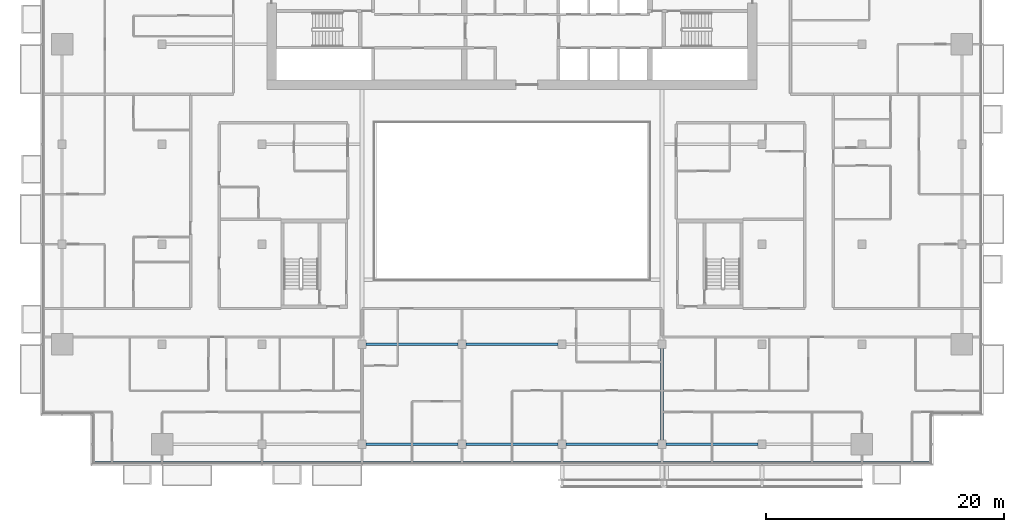
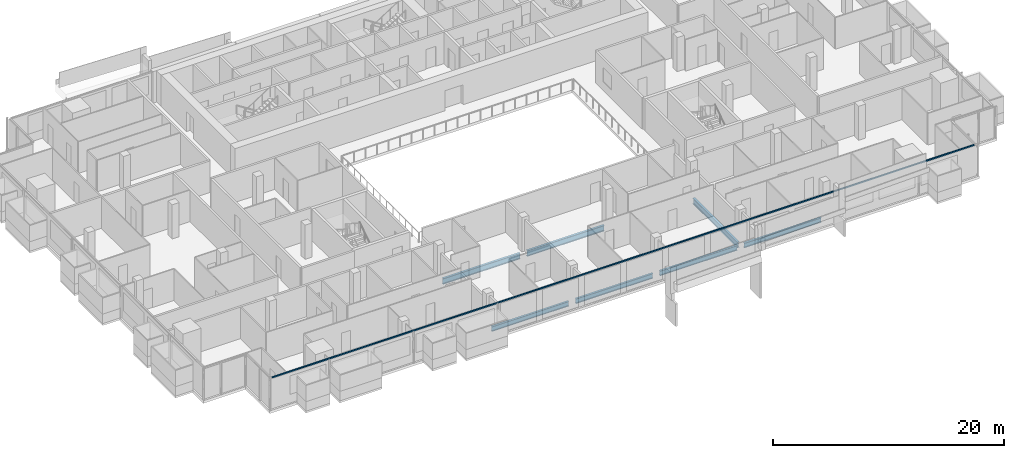
# One storey, part 5 of 28: 7 beams, 1 member, 1 element without a shape of its own.
"""IFC4 building model written with IfcOpenShell, lengths in metres."""

from ifc_helpers import new_model, si_unit, direction, frame, origin, origin_2d, place, context, subcontext, project, spatial, rectangle, i_section, extrude, material, material_profile, profile_set, type_object, element, aggregate, save


model = new_model("IFC4")

# Units and contexts
model_context = context("Model", 3, precision=1e-05, world=origin(), true_north=direction((0.0, 1.0)))
body_context = subcontext(model_context, "Body", "Model", "MODEL_VIEW")
ifc_project = project(units=[si_unit("LENGTHUNIT", "METRE"), si_unit("AREAUNIT", "SQUARE_METRE"), si_unit("VOLUMEUNIT", "CUBIC_METRE"), si_unit("PLANEANGLEUNIT", "RADIAN"), si_unit("MASSUNIT", "GRAM", prefix="KILO")], contexts=[model_context])

# Site, building, storey
site_placement = place(None, origin())
site = spatial("IfcSite", under=ifc_project, at=site_placement, CompositionType="ELEMENT")
building_placement = place(site_placement, origin())
building = spatial("IfcBuilding", under=site, at=building_placement, Name="Saffron Gate Tower", CompositionType="ELEMENT")
storey_placement = place(building_placement, frame((0.0, 0.0, 154.64990234375)))
storey = spatial("IfcBuildingStorey", under=building, at=storey_placement, Name="L37", CompositionType="ELEMENT", Elevation=154.64990234375)

# Beams
ifc_material_1 = material(Name="Structural steel S355", Category="steel")
ifc_material_profile_1 = material_profile(ifc_material_1, i_section(OverallWidth=0.199951171875, OverallDepth=0.5, WebThickness=0.01025390625, FlangeThickness=0.01611328125, FilletRadius=0.02099609375, at=origin_2d()))
ifc_profile_set_1 = profile_set([ifc_material_profile_1], Name="Structural steel S355")
beam_type_1 = type_object("IfcBeamType", Name="B11 IPE 500", PredefinedType="SPANDREL", material=ifc_profile_set_1)
for number, where, z_axis, x_axis, name in (
    (1, (75.35009765625, 31.800048828125, -0.52978515625), (1.0, 0.0, 0.0), (0.0, 1.0, 0.0), "B11 SPANDREL BEAM"),
    (2, (83.75, 31.800048828125, -0.52978515625), (1.0, 0.0, 0.0), (0.0, 1.0, 0.0), "B11 SPANDREL BEAM"),
):
    element("IfcBeam", number, at=place(storey_placement, frame(where, z_axis=z_axis, x_axis=x_axis)), inside=storey, type_object=beam_type_1, Name=name, PredefinedType="SPANDREL", context=body_context, shape_type="SweptSolid", body=[
        extrude(i_section(OverallWidth=0.199951171875, OverallDepth=0.5, WebThickness=0.01025390625, FlangeThickness=0.01611328125, FilletRadius=0.02099609375, at=origin_2d()), origin(), (0.0, 0.0, 1.0), 7.699951171875),
    ])
beam_1_placement = place(storey_placement, frame((92.14990234375, 31.800048828125, -0.52978515625), z_axis=(1.0, 0.0, 0.0), x_axis=(0.0, 1.0, 0.0)))
element("IfcBeam", 3, at=beam_1_placement, inside=storey, type_object=beam_type_1, Name="B11 SPANDREL BEAM", PredefinedType="SPANDREL", context=body_context, shape_type="SweptSolid", body=[
    extrude(i_section(OverallWidth=0.199951171875, OverallDepth=0.5, WebThickness=0.01025390625, FlangeThickness=0.01611328125, FilletRadius=0.02099609375, at=origin_2d()), origin(), (0.0, 0.0, 1.0), 7.7001953125),
])
beam_2_placement = place(storey_placement, frame((100.550048828125, 31.800048828125, -0.52978515625), z_axis=(1.0, 0.0, 0.0), x_axis=(0.0, 1.0, 0.0)))
element("IfcBeam", 4, at=beam_2_placement, inside=storey, type_object=beam_type_1, Name="B11 SPANDREL BEAM", PredefinedType="SPANDREL", context=body_context, shape_type="SweptSolid", body=[
    extrude(i_section(OverallWidth=0.199951171875, OverallDepth=0.5, WebThickness=0.01025390625, FlangeThickness=0.01611328125, FilletRadius=0.02099609375, at=origin_2d()), origin(), (0.0, 0.0, 1.0), 7.699951171875),
])
ifc_material_profile_2 = material_profile(ifc_material_1, i_section(OverallWidth=0.219970703125, OverallDepth=0.60009765625, WebThickness=0.011962890625, FlangeThickness=0.01904296875, FilletRadius=0.02392578125, at=origin_2d()))
ifc_profile_set_2 = profile_set([ifc_material_profile_2], Name="Structural steel S355")
beam_type_2 = type_object("IfcBeamType", Name="B15 IPE 600", PredefinedType="BEAM", material=ifc_profile_set_2)
beam_3_placement = place(storey_placement, frame((100.199951171875, 32.14990234375, -0.579833984375), z_axis=(0.0, 1.0, 0.0), x_axis=(-1.0, 0.0, 0.0)))
element("IfcBeam", 5, at=beam_3_placement, inside=storey, type_object=beam_type_2, Name="B15 FLOOR GIRDER", PredefinedType="BEAM", context=body_context, shape_type="SweptSolid", body=[
    extrude(i_section(OverallWidth=0.219970703125, OverallDepth=0.60009765625, WebThickness=0.011962890625, FlangeThickness=0.01904296875, FilletRadius=0.02392578125, at=origin_2d()), origin(), (0.0, 0.0, 1.0), 7.7001953125),
])
for number, where, z_axis, x_axis, name in (
    (6, (75.35009765625, 40.199951171875, -0.579833984375), (1.0, 0.0, 0.0), (0.0, 1.0, 0.0), "B15 FLOOR GIRDER"),
    (7, (83.75, 40.199951171875, -0.579833984375), (1.0, 0.0, 0.0), (0.0, 1.0, 0.0), "B15 FLOOR GIRDER"),
):
    element("IfcBeam", number, at=place(storey_placement, frame(where, z_axis=z_axis, x_axis=x_axis)), inside=storey, type_object=beam_type_2, Name=name, PredefinedType="BEAM", context=body_context, shape_type="SweptSolid", body=[
        extrude(i_section(OverallWidth=0.219970703125, OverallDepth=0.60009765625, WebThickness=0.011962890625, FlangeThickness=0.01904296875, FilletRadius=0.02392578125, at=origin_2d()), origin(), (0.0, 0.0, 1.0), 7.699951171875),
    ])

# Curtain wall, member
ifc_material_2 = material(Name="Aluminium, bronze anodised", Category="aluminium")
curtain_wall_type = type_object("IfcCurtainWallType", Name="CWS1 curtain wall front facade", PredefinedType="NOTDEFINED", material=ifc_material_2)
curtain_wall_placement = place(storey_placement, origin())
curtain_wall = element("IfcCurtainWall", 8, at=curtain_wall_placement, inside=storey, type_object=curtain_wall_type, Name="CWS1 run 1", PredefinedType="NOTDEFINED")
ifc_material_profile_3 = material_profile(ifc_material_2, rectangle(XDim=0.1201171875, YDim=0.1201171875, at=origin_2d()))
ifc_profile_set_3 = profile_set([ifc_material_profile_3], Name="Aluminium, bronze anodised")
member_type = type_object("IfcMemberType", Name="CWS1 head transom", PredefinedType="USERDEFINED", material=ifc_profile_set_3)
member_placement = place(storey_placement, frame((52.568115234375, 30.248046875, 3.260009765625), z_axis=(1.0, 0.0, 0.0), x_axis=(0.0, 1.0, 0.0)))
member = element("IfcMember", 9, at=member_placement, type_object=member_type, Name="CWS1 head transom", ObjectType="TRANSOM", PredefinedType="USERDEFINED", context=body_context, shape_type="SweptSolid", body=[
    extrude(rectangle(XDim=0.1201171875, YDim=0.1201171875, at=origin_2d()), origin(), (0.0, 0.0, 1.0), 70.06396484375),
])
aggregate(curtain_wall, [member])

save(model, "model.ifc")
